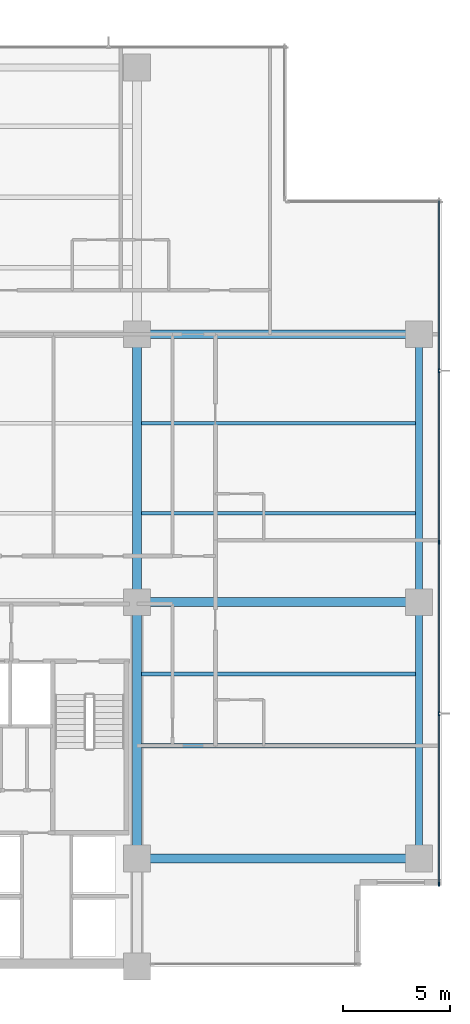
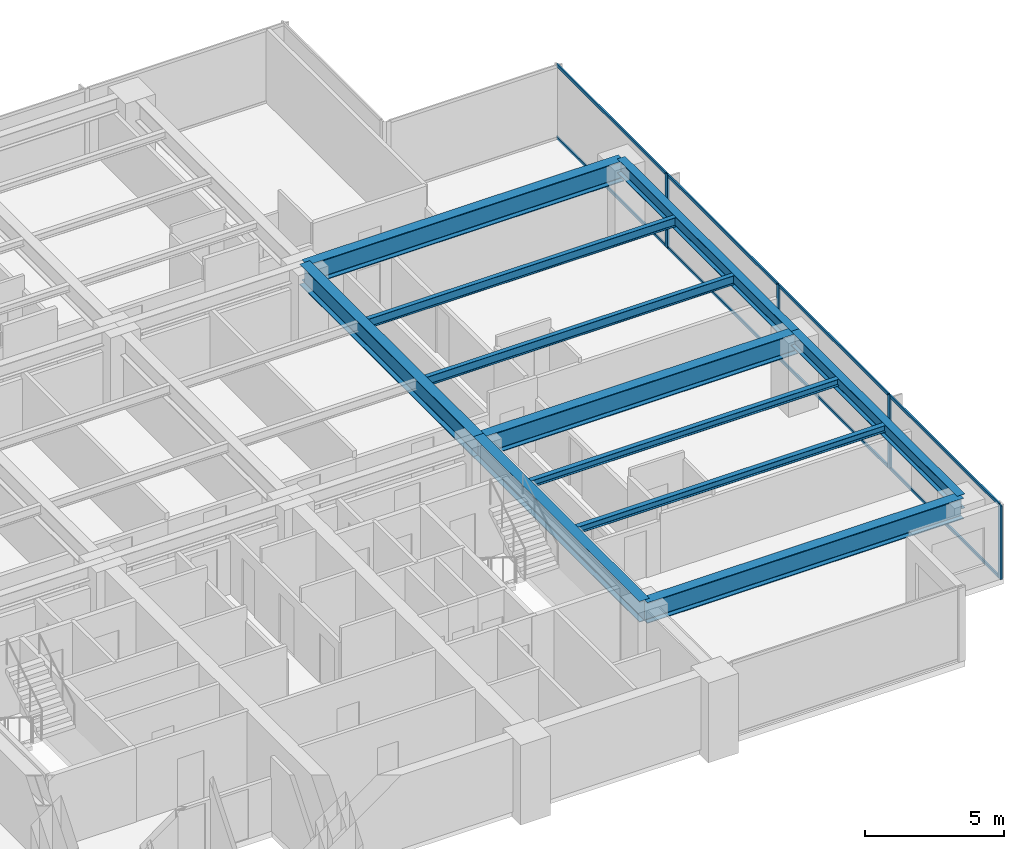
# One storey, part 4 of 17: 12 members, 11 beams, 1 element without a shape of its own.
"""IFC4 building model written with IfcOpenShell, lengths in metres."""

from ifc_helpers import new_model, si_unit, direction, frame, origin, origin_2d, place, context, subcontext, project, spatial, rectangle, i_section, extrude, material, layer, layer_set, material_profile, profile_set, type_object, element, aggregate, save


model = new_model("IFC4")

# Units and contexts
model_context = context("Model", 3, precision=1e-05, world=origin(), true_north=direction((0.0, 1.0)))
body_context = subcontext(model_context, "Body", "Model", "MODEL_VIEW")
ifc_project = project(units=[si_unit("LENGTHUNIT", "METRE"), si_unit("AREAUNIT", "SQUARE_METRE"), si_unit("VOLUMEUNIT", "CUBIC_METRE"), si_unit("PLANEANGLEUNIT", "RADIAN"), si_unit("MASSUNIT", "GRAM", prefix="KILO")], contexts=[model_context])

# Site, building, storey
site_placement = place(None, origin())
site = spatial("IfcSite", under=ifc_project, at=site_placement, CompositionType="ELEMENT")
building_placement = place(site_placement, origin())
building = spatial("IfcBuilding", under=site, at=building_placement, Name="Qalmaran Belvedere Hotel", CompositionType="ELEMENT")
storey_placement = place(building_placement, frame((0.0, 0.0, 91.699951171875)))
storey = spatial("IfcBuildingStorey", under=building, at=storey_placement, Name="L22", CompositionType="ELEMENT", Elevation=91.699951171875)

# Beams
ifc_material_1 = material(Name="Steel S355JR", Category="steel")
ifc_material_profile_1 = material_profile(ifc_material_1, i_section(OverallWidth=0.202880859375, OverallDepth=0.302978515625, WebThickness=0.007568359375, FlangeThickness=0.01318359375, FilletRadius=0.012939453125, at=origin_2d()), Name="W310X60")
ifc_profile_set_1 = profile_set([ifc_material_profile_1], Name="Steel S355JR")
beam_type_1 = type_object("IfcBeamType", Name="BM-JST-W310X60", PredefinedType="JOIST", material=ifc_profile_set_1)
for number, where, z_axis, x_axis, name in (
    (1, (45.007080078125, 13.800048828125, 3.088623046875), (1.0, 0.0, 0.0), (0.0, 1.0, 0.0), "L22 East Wing Joist 039"),
    (2, (45.007080078125, 17.14990234375, 3.088623046875), (1.0, 0.0, 0.0), (0.0, 1.0, 0.0), "L22 East Wing Joist 041"),
):
    element("IfcBeam", number, at=place(storey_placement, frame(where, z_axis=z_axis, x_axis=x_axis)), inside=storey, type_object=beam_type_1, Name=name, PredefinedType="JOIST", context=body_context, shape_type="SweptSolid", body=[
        extrude(i_section(OverallWidth=0.202880859375, OverallDepth=0.302978515625, WebThickness=0.007568359375, FlangeThickness=0.01318359375, FilletRadius=0.012939453125, at=origin_2d()), origin(), (0.0, 0.0, 1.0), 12.781494140625),
    ])
ifc_material_profile_2 = material_profile(ifc_material_1, i_section(OverallWidth=0.41796875, OverallDepth=0.912109375, WebThickness=0.019287109375, FlangeThickness=0.031982421875, FilletRadius=0.02392578125, at=origin_2d()), Name="W920X342")
ifc_profile_set_2 = profile_set([ifc_material_profile_2], Name="Steel S355JR")
beam_type_2 = type_object("IfcBeamType", Name="BM-PG2-W920X342", PredefinedType="USERDEFINED", material=ifc_profile_set_2)
beam_1_placement = place(storey_placement, frame((44.800048828125, 20.5, 2.783935546875), z_axis=(0.0, 1.0, 0.0), x_axis=(-1.0, 0.0, 0.0)))
element("IfcBeam", 3, at=beam_1_placement, inside=storey, type_object=beam_type_2, Name="L22 Mid-Plate N-S Girder 20", ObjectType="GIRDER", PredefinedType="USERDEFINED", context=body_context, shape_type="SweptSolid", body=[
    extrude(i_section(OverallWidth=0.41796875, OverallDepth=0.912109375, WebThickness=0.019287109375, FlangeThickness=0.031982421875, FilletRadius=0.02392578125, at=origin_2d()), origin(), (0.0, 0.0, 1.0), 12.5),
])
beam_2_placement = place(storey_placement, frame((44.800048828125, 8.550048828125, 2.783935546875), z_axis=(0.0, 1.0, 0.0), x_axis=(-1.0, 0.0, 0.0)))
element("IfcBeam", 4, at=beam_2_placement, inside=storey, type_object=beam_type_2, Name="L22 East Core Edge Girder B", ObjectType="GIRDER", PredefinedType="USERDEFINED", context=body_context, shape_type="SweptSolid", body=[
    extrude(i_section(OverallWidth=0.41796875, OverallDepth=0.912109375, WebThickness=0.019287109375, FlangeThickness=0.031982421875, FilletRadius=0.02392578125, at=origin_2d()), origin(), (0.0, 0.0, 1.0), 11.949951171875),
])
for number, where, z_axis, x_axis, name in (
    (5, (44.800048828125, 8.550048828125, 2.783935546875), (1.0, 0.0, 0.0), (0.0, 1.0, 0.0), "L22 East Wing Girder 25"),
    (6, (44.800048828125, 20.5, 2.783935546875), (1.0, 0.0, 0.0), (0.0, 1.0, 0.0), "L22 East Wing Girder 26"),
    (7, (44.800048828125, 33.0, 2.783935546875), (1.0, 0.0, 0.0), (0.0, 1.0, 0.0), "L22 East Wing Girder 27"),
):
    element("IfcBeam", number, at=place(storey_placement, frame(where, z_axis=z_axis, x_axis=x_axis)), inside=storey, type_object=beam_type_2, Name=name, ObjectType="GIRDER", PredefinedType="USERDEFINED", context=body_context, shape_type="SweptSolid", body=[
        extrude(i_section(OverallWidth=0.41796875, OverallDepth=0.912109375, WebThickness=0.019287109375, FlangeThickness=0.031982421875, FilletRadius=0.02392578125, at=origin_2d()), origin(), (0.0, 0.0, 1.0), 13.14990234375),
    ])
ifc_material_profile_3 = material_profile(ifc_material_1, i_section(OverallWidth=0.177978515625, OverallDepth=0.406982421875, WebThickness=0.0078125, FlangeThickness=0.0126953125, FilletRadius=0.014892578125, at=origin_2d()), Name="W410X60")
ifc_profile_set_3 = profile_set([ifc_material_profile_3], Name="Steel S355JR")
beam_type_3 = type_object("IfcBeamType", Name="BM-SB2-W410X60", PredefinedType="BEAM", material=ifc_profile_set_3)
for number, where, z_axis, x_axis, name in (
    (8, (45.007080078125, 24.64990234375, 3.03662109375), (1.0, 0.0, 0.0), (0.0, 1.0, 0.0), "L22 East Secondary Beam 032"),
    (9, (45.007080078125, 28.85009765625, 3.03662109375), (1.0, 0.0, 0.0), (0.0, 1.0, 0.0), "L22 East Secondary Beam 037"),
):
    element("IfcBeam", number, at=place(storey_placement, frame(where, z_axis=z_axis, x_axis=x_axis)), inside=storey, type_object=beam_type_3, Name=name, PredefinedType="BEAM", context=body_context, shape_type="SweptSolid", body=[
        extrude(i_section(OverallWidth=0.177978515625, OverallDepth=0.406982421875, WebThickness=0.0078125, FlangeThickness=0.0126953125, FilletRadius=0.014892578125, at=origin_2d()), origin(), (0.0, 0.0, 1.0), 12.781494140625),
    ])
ifc_material_profile_4 = material_profile(ifc_material_1, i_section(OverallWidth=0.326904296875, OverallDepth=0.6220703125, WebThickness=0.015380859375, FlangeThickness=0.0244140625, FilletRadius=0.02001953125, at=origin_2d()), Name="W610X195")
ifc_profile_set_4 = profile_set([ifc_material_profile_4], Name="Steel S355JR")
beam_type_4 = type_object("IfcBeamType", Name="BM-SP1-W610X195", PredefinedType="SPANDREL", material=ifc_profile_set_4)
beam_3_placement = place(storey_placement, frame((57.949951171875, 8.550048828125, 2.928955078125), z_axis=(0.0, 1.0, 0.0), x_axis=(-1.0, 0.0, 0.0)))
element("IfcBeam", 10, at=beam_3_placement, inside=storey, type_object=beam_type_4, Name="L22 Perimeter Spandrel 03", PredefinedType="SPANDREL", context=body_context, shape_type="SweptSolid", body=[
    extrude(i_section(OverallWidth=0.326904296875, OverallDepth=0.6220703125, WebThickness=0.015380859375, FlangeThickness=0.0244140625, FilletRadius=0.02001953125, at=origin_2d()), origin(), (0.0, 0.0, 1.0), 11.949951171875),
])
beam_4_placement = place(storey_placement, frame((57.949951171875, 20.5, 2.928955078125), z_axis=(0.0, 1.0, 0.0), x_axis=(-1.0, 0.0, 0.0)))
element("IfcBeam", 11, at=beam_4_placement, inside=storey, type_object=beam_type_4, Name="L22 Perimeter Spandrel 04", PredefinedType="SPANDREL", context=body_context, shape_type="SweptSolid", body=[
    extrude(i_section(OverallWidth=0.326904296875, OverallDepth=0.6220703125, WebThickness=0.015380859375, FlangeThickness=0.0244140625, FilletRadius=0.02001953125, at=origin_2d()), origin(), (0.0, 0.0, 1.0), 12.5),
])

# Curtain wall, members
ifc_material_2 = material(Name="Anodised Bronze Aluminium", Category="aluminium")
ifc_layer = layer(ifc_material_2, 0.199951171875, Name="Anodised Bronze Aluminium")
ifc_layer_set = layer_set([ifc_layer], Name="Anodised Bronze Aluminium")
curtain_wall_type = type_object("IfcCurtainWallType", Name="CW3-TOWER-LOWMID", PredefinedType="NOTDEFINED", material=ifc_layer_set)
curtain_wall_placement = place(storey_placement, origin())
curtain_wall = element("IfcCurtainWall", 12, at=curtain_wall_placement, inside=storey, type_object=curtain_wall_type, Name="L22 Curtain Wall CW3", PredefinedType="NOTDEFINED")
ifc_material_profile_5 = material_profile(ifc_material_2, rectangle(XDim=0.070068359375, YDim=0.18994140625, at=origin_2d()), Name="CWM70X190")
ifc_profile_set_5 = profile_set([ifc_material_profile_5], Name="Anodised Bronze Aluminium")
member_type_1 = type_object("IfcMemberType", Name="CWM-70X190", PredefinedType="MULLION", material=ifc_profile_set_5)
member_1_placement = place(storey_placement, frame((58.8798828125, 7.3349609375, 0.0), z_axis=(0.0, 0.0, 1.0), x_axis=(-1.0, 0.0, 0.0)))
member_1 = element("IfcMember", 13, at=member_1_placement, type_object=member_type_1, Name="CW3 mullion 1", PredefinedType="MULLION", context=body_context, shape_type="SweptSolid", body=[
    extrude(rectangle(XDim=0.070068359375, YDim=0.18994140625, at=origin_2d()), origin(), (0.0, 0.0, 1.0), 3.239990234375),
])
member_2_placement = place(storey_placement, frame((58.8798828125, 15.300048828125, 0.0), z_axis=(0.0, 0.0, 1.0), x_axis=(-1.0, 0.0, 0.0)))
member_2 = element("IfcMember", 14, at=member_2_placement, type_object=member_type_1, Name="CW3 mullion 2", PredefinedType="MULLION", context=body_context, shape_type="SweptSolid", body=[
    extrude(rectangle(XDim=0.070068359375, YDim=0.18994140625, at=origin_2d()), origin(), (0.0, 0.0, 1.0), 3.239990234375),
])
member_3_placement = place(storey_placement, frame((58.8798828125, 23.300048828125, 0.0), z_axis=(0.0, 0.0, 1.0), x_axis=(-1.0, 0.0, 0.0)))
member_3 = element("IfcMember", 15, at=member_3_placement, type_object=member_type_1, Name="CW3 mullion 3", PredefinedType="MULLION", context=body_context, shape_type="SweptSolid", body=[
    extrude(rectangle(XDim=0.070068359375, YDim=0.18994140625, at=origin_2d()), origin(), (0.0, 0.0, 1.0), 3.239990234375),
])
member_4_placement = place(storey_placement, frame((58.8798828125, 31.300048828125, 0.0), z_axis=(0.0, 0.0, 1.0), x_axis=(-1.0, 0.0, 0.0)))
member_4 = element("IfcMember", 16, at=member_4_placement, type_object=member_type_1, Name="CW3 mullion 4", PredefinedType="MULLION", context=body_context, shape_type="SweptSolid", body=[
    extrude(rectangle(XDim=0.070068359375, YDim=0.18994140625, at=origin_2d()), origin(), (0.0, 0.0, 1.0), 3.239990234375),
])
ifc_material_profile_6 = material_profile(ifc_material_2, rectangle(XDim=0.06494140625, YDim=0.1298828125, at=origin_2d()), Name="CWT65X130")
ifc_profile_set_6 = profile_set([ifc_material_profile_6], Name="Anodised Bronze Aluminium")
member_type_2 = type_object("IfcMemberType", Name="CWT-65X130", PredefinedType="USERDEFINED", material=ifc_profile_set_6)
member_5_placement = place(storey_placement, frame((58.8798828125, 7.3701171875, 0.032470703125), z_axis=(0.0, 1.0, 0.0), x_axis=(-1.0, 0.0, 0.0)))
member_5 = element("IfcMember", 17, at=member_5_placement, type_object=member_type_2, Name="CW3 transom 1.1", ObjectType="TRANSOM", PredefinedType="USERDEFINED", context=body_context, shape_type="SweptSolid", body=[
    extrude(rectangle(XDim=0.06494140625, YDim=0.1298828125, at=origin_2d()), origin(), (0.0, 0.0, 1.0), 7.894775390625),
])
member_6_placement = place(storey_placement, frame((58.8798828125, 7.3701171875, 3.20751953125), z_axis=(0.0, 1.0, 0.0), x_axis=(-1.0, 0.0, 0.0)))
member_6 = element("IfcMember", 18, at=member_6_placement, type_object=member_type_2, Name="CW3 transom 1.2", ObjectType="TRANSOM", PredefinedType="USERDEFINED", context=body_context, shape_type="SweptSolid", body=[
    extrude(rectangle(XDim=0.06494140625, YDim=0.1298828125, at=origin_2d()), origin(), (0.0, 0.0, 1.0), 7.894775390625),
])
member_7_placement = place(storey_placement, frame((58.8798828125, 15.3349609375, 0.032470703125), z_axis=(0.0, 1.0, 0.0), x_axis=(-1.0, 0.0, 0.0)))
member_7 = element("IfcMember", 19, at=member_7_placement, type_object=member_type_2, Name="CW3 transom 2.1", ObjectType="TRANSOM", PredefinedType="USERDEFINED", context=body_context, shape_type="SweptSolid", body=[
    extrude(rectangle(XDim=0.06494140625, YDim=0.1298828125, at=origin_2d()), origin(), (0.0, 0.0, 1.0), 7.929931640625),
])
member_8_placement = place(storey_placement, frame((58.8798828125, 15.3349609375, 3.20751953125), z_axis=(0.0, 1.0, 0.0), x_axis=(-1.0, 0.0, 0.0)))
member_8 = element("IfcMember", 20, at=member_8_placement, type_object=member_type_2, Name="CW3 transom 2.2", ObjectType="TRANSOM", PredefinedType="USERDEFINED", context=body_context, shape_type="SweptSolid", body=[
    extrude(rectangle(XDim=0.06494140625, YDim=0.1298828125, at=origin_2d()), origin(), (0.0, 0.0, 1.0), 7.929931640625),
])
member_9_placement = place(storey_placement, frame((58.8798828125, 23.3349609375, 0.032470703125), z_axis=(0.0, 1.0, 0.0), x_axis=(-1.0, 0.0, 0.0)))
member_9 = element("IfcMember", 21, at=member_9_placement, type_object=member_type_2, Name="CW3 transom 3.1", ObjectType="TRANSOM", PredefinedType="USERDEFINED", context=body_context, shape_type="SweptSolid", body=[
    extrude(rectangle(XDim=0.06494140625, YDim=0.1298828125, at=origin_2d()), origin(), (0.0, 0.0, 1.0), 7.929931640625),
])
member_10_placement = place(storey_placement, frame((58.8798828125, 23.3349609375, 3.20751953125), z_axis=(0.0, 1.0, 0.0), x_axis=(-1.0, 0.0, 0.0)))
member_10 = element("IfcMember", 22, at=member_10_placement, type_object=member_type_2, Name="CW3 transom 3.2", ObjectType="TRANSOM", PredefinedType="USERDEFINED", context=body_context, shape_type="SweptSolid", body=[
    extrude(rectangle(XDim=0.06494140625, YDim=0.1298828125, at=origin_2d()), origin(), (0.0, 0.0, 1.0), 7.929931640625),
])
member_11_placement = place(storey_placement, frame((58.8798828125, 31.3349609375, 0.032470703125), z_axis=(0.0, 1.0, 0.0), x_axis=(-1.0, 0.0, 0.0)))
member_11 = element("IfcMember", 23, at=member_11_placement, type_object=member_type_2, Name="CW3 transom 4.1", ObjectType="TRANSOM", PredefinedType="USERDEFINED", context=body_context, shape_type="SweptSolid", body=[
    extrude(rectangle(XDim=0.06494140625, YDim=0.1298828125, at=origin_2d()), origin(), (0.0, 0.0, 1.0), 7.89501953125),
])
member_12_placement = place(storey_placement, frame((58.8798828125, 31.3349609375, 3.20751953125), z_axis=(0.0, 1.0, 0.0), x_axis=(-1.0, 0.0, 0.0)))
member_12 = element("IfcMember", 24, at=member_12_placement, type_object=member_type_2, Name="CW3 transom 4.2", ObjectType="TRANSOM", PredefinedType="USERDEFINED", context=body_context, shape_type="SweptSolid", body=[
    extrude(rectangle(XDim=0.06494140625, YDim=0.1298828125, at=origin_2d()), origin(), (0.0, 0.0, 1.0), 7.89501953125),
])
aggregate(curtain_wall, [member_1, member_2, member_3, member_4, member_5, member_6, member_7, member_8, member_9, member_10, member_11, member_12])

save(model, "model.ifc")
